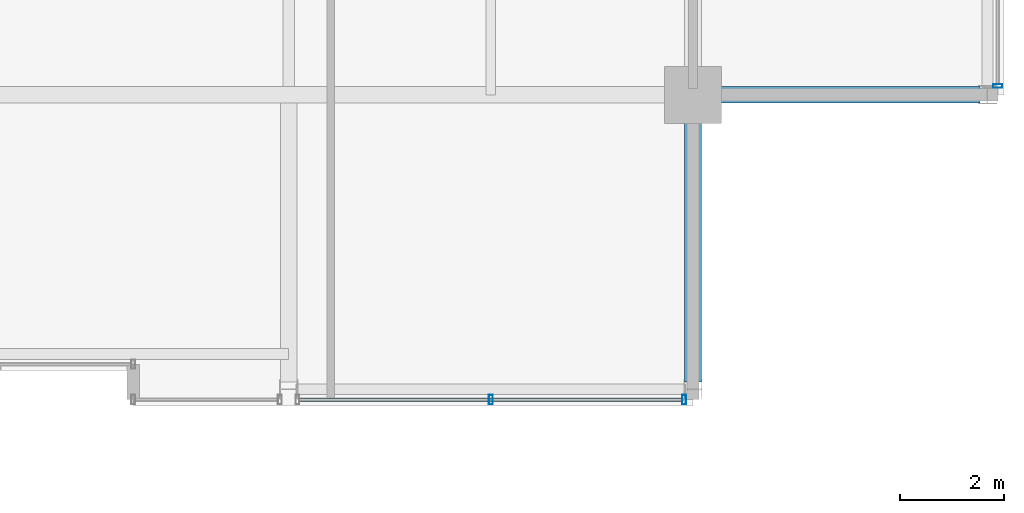
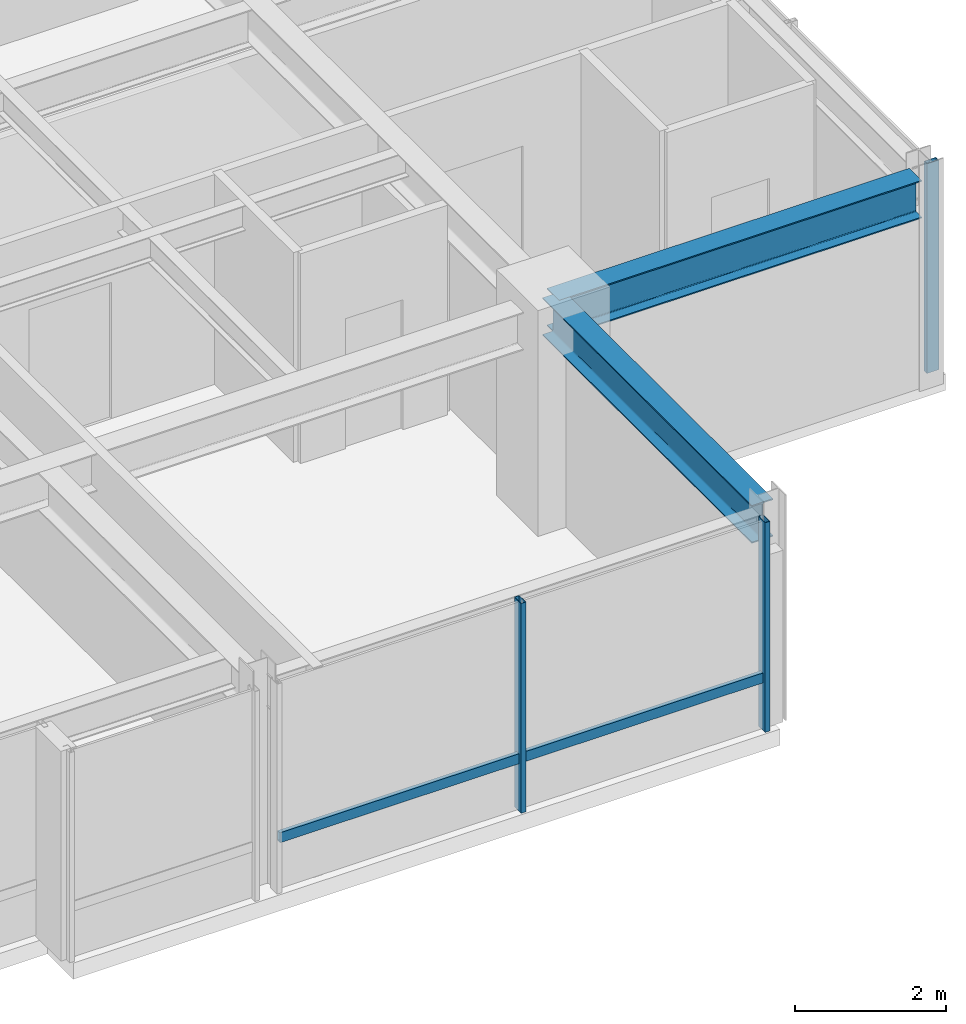
# One storey, part 15 of 34: 4 members, 2 beams, 2 elements without a shape of their own.
"""IFC4 building model written with IfcOpenShell, lengths in metres."""

from ifc_helpers import new_model, si_unit, direction, frame, origin, origin_2d, place, context, subcontext, project, spatial, hollow_rectangle, i_section, extrude, material, layer, layer_set, material_profile, profile_set, type_object, element, aggregate, save


model = new_model("IFC4")

# Units and contexts
model_context = context("Model", 3, precision=1e-05, world=origin(), true_north=direction((0.0, 1.0)))
body_context = subcontext(model_context, "Body", "Model", "MODEL_VIEW")
ifc_project = project(units=[si_unit("LENGTHUNIT", "METRE"), si_unit("AREAUNIT", "SQUARE_METRE"), si_unit("VOLUMEUNIT", "CUBIC_METRE"), si_unit("PLANEANGLEUNIT", "RADIAN"), si_unit("MASSUNIT", "GRAM", prefix="KILO")], contexts=[model_context])

# Site, building, storey
site_placement = place(None, origin())
site = spatial("IfcSite", under=ifc_project, at=site_placement, CompositionType="ELEMENT")
building_placement = place(site_placement, origin())
building = spatial("IfcBuilding", under=site, at=building_placement, Name="Drelvath Grand Hotel", CompositionType="ELEMENT")
storey_placement = place(building_placement, frame((0.0, 0.0, 286.89990234375)))
storey = spatial("IfcBuildingStorey", under=building, at=storey_placement, Name="L75", CompositionType="ELEMENT", Elevation=286.89990234375)

# Curtain wall, member
ifc_material_1 = material(Name="Platinum-Mist Anodised Aluminium Frame", Category="aluminium")
ifc_layer = layer(ifc_material_1, 0.199951171875)
ifc_layer_set = layer_set([ifc_layer], Name="Platinum-Mist Anodised Aluminium Frame")
curtain_wall_type = type_object("IfcCurtainWallType", Name="Stick Curtain Wall CW-05 Platinum Mist High-Rise", PredefinedType="NOTDEFINED", material=ifc_layer_set)
curtain_wall_1_placement = place(storey_placement, origin())
curtain_wall_1 = element("IfcCurtainWall", 1, at=curtain_wall_1_placement, inside=storey, type_object=curtain_wall_type, Name="L75 CW-05 Curtain Wall CW05-L75-SE2", PredefinedType="NOTDEFINED")
ifc_material_profile_1 = material_profile(ifc_material_1, hollow_rectangle(XDim=0.06494140625, YDim=0.159912109375, WallThickness=0.00390625, at=origin_2d()), Name="HSS160X65X4")
ifc_profile_set_1 = profile_set([ifc_material_profile_1], Name="Platinum-Mist Anodised Aluminium Frame")
member_type_1 = type_object("IfcMemberType", Name="Curtain Wall Horizontal Transom CW-05 HSS160X65X4", PredefinedType="USERDEFINED", material=ifc_profile_set_1)
member_1_placement = place(storey_placement, frame((15.989990234375, 4.919921875, 0.84765625), z_axis=(-1.0, 0.0, 0.0), x_axis=(0.0, -1.0, 0.0)))
member_1 = element("IfcMember", 2, at=member_1_placement, type_object=member_type_1, Name="CW05-L75-SE2 Sill Transom", ObjectType="TRANSOM", PredefinedType="USERDEFINED", context=body_context, shape_type="SweptSolid", body=[
    extrude(hollow_rectangle(XDim=0.06494140625, YDim=0.159912109375, WallThickness=0.00390625, at=origin_2d()), origin(), (0.0, 0.0, 1.0), 7.3798828125),
])

curtain_wall_2_placement = place(storey_placement, origin())
curtain_wall_2 = element("IfcCurtainWall", 3, at=curtain_wall_2_placement, inside=storey, type_object=curtain_wall_type, Name="L75 CW-05 Curtain Wall CW05-L75-ES1", PredefinedType="NOTDEFINED")
ifc_material_profile_2 = material_profile(ifc_material_1, hollow_rectangle(XDim=0.074951171875, YDim=0.179931640625, WallThickness=0.0048828125, at=origin_2d()), Name="HSS180X75X5")
ifc_profile_set_2 = profile_set([ifc_material_profile_2], Name="Platinum-Mist Anodised Aluminium Frame")
member_type_2 = type_object("IfcMemberType", Name="Curtain Wall Vertical Mullion CW-05 HSS180X75X5", PredefinedType="MULLION", material=ifc_profile_set_2)
member_2_placement = place(storey_placement, frame((22.080078125, 10.97021484375, 0.0), z_axis=(0.0, 0.0, 1.0), x_axis=(0.0, 1.0, 0.0)))
member_2 = element("IfcMember", 4, at=member_2_placement, type_object=member_type_2, Name="CW05-L75-ES1 Mullion 3", PredefinedType="MULLION", context=body_context, shape_type="SweptSolid", body=[
    extrude(hollow_rectangle(XDim=0.074951171875, YDim=0.179931640625, WallThickness=0.0048828125, at=origin_2d()), origin(), (0.0, 0.0, 1.0), 3.39013671875),
])
aggregate(curtain_wall_2, [member_2])

# Member
member_3_placement = place(storey_placement, frame((16.02978515625, 4.919921875, 0.0), z_axis=(0.0, 0.0, 1.0), x_axis=(1.0, 0.0, 0.0)))
member_3 = element("IfcMember", 5, at=member_3_placement, type_object=member_type_2, Name="CW05-L75-SE2 Mullion 1", PredefinedType="MULLION", context=body_context, shape_type="SweptSolid", body=[
    extrude(hollow_rectangle(XDim=0.074951171875, YDim=0.179931640625, WallThickness=0.0048828125, at=origin_2d()), origin(), (0.0, 0.0, 1.0), 3.39013671875),
])

member_4_placement = place(storey_placement, frame((12.300048828125, 4.919921875, 0.0), z_axis=(0.0, 0.0, 1.0), x_axis=(1.0, 0.0, 0.0)))
member_4 = element("IfcMember", 6, at=member_4_placement, type_object=member_type_2, Name="CW05-L75-SE2 Mullion 2", PredefinedType="MULLION", context=body_context, shape_type="SweptSolid", body=[
    extrude(hollow_rectangle(XDim=0.074951171875, YDim=0.179931640625, WallThickness=0.0048828125, at=origin_2d()), origin(), (0.0, 0.0, 1.0), 3.39013671875),
])

aggregate(curtain_wall_1, [member_3, member_4, member_1])

# Beams
ifc_material_2 = material(Name="Steel ASTM A992 Gr 50", Category="steel")
ifc_material_profile_3 = material_profile(ifc_material_2, i_section(OverallWidth=0.323974609375, OverallDepth=0.611083984375, WebThickness=0.0126953125, FlangeThickness=0.01904296875, FilletRadius=0.02197265625, at=origin_2d()), Name="W24X104")
ifc_profile_set_3 = profile_set([ifc_material_profile_3], Name="Steel ASTM A992 Gr 50")
beam_type = type_object("IfcBeamType", Name="Primary Floor Girder W24X104", PredefinedType="BEAM", material=ifc_profile_set_3)
for number, where, z_axis, x_axis, name in (
    (7, (16.199951171875, 10.800048828125, 3.084716796875), (1.0, 0.0, 0.0), (0.0, 1.0, 0.0), "L75 East Grid Girder C"),
    (8, (16.199951171875, 5.260009765625, 3.084716796875), (0.0, 1.0, 0.0), (-1.0, 0.0, 0.0), "L75 South Grid Girder 7"),
):
    element("IfcBeam", number, at=place(storey_placement, frame(where, z_axis=z_axis, x_axis=x_axis)), inside=storey, type_object=beam_type, Name=name, PredefinedType="BEAM", context=body_context, shape_type="SweptSolid", body=[
        extrude(i_section(OverallWidth=0.323974609375, OverallDepth=0.611083984375, WebThickness=0.0126953125, FlangeThickness=0.01904296875, FilletRadius=0.02197265625, at=origin_2d()), origin(), (0.0, 0.0, 1.0), 5.5400390625),
    ])

save(model, "model.ifc")
